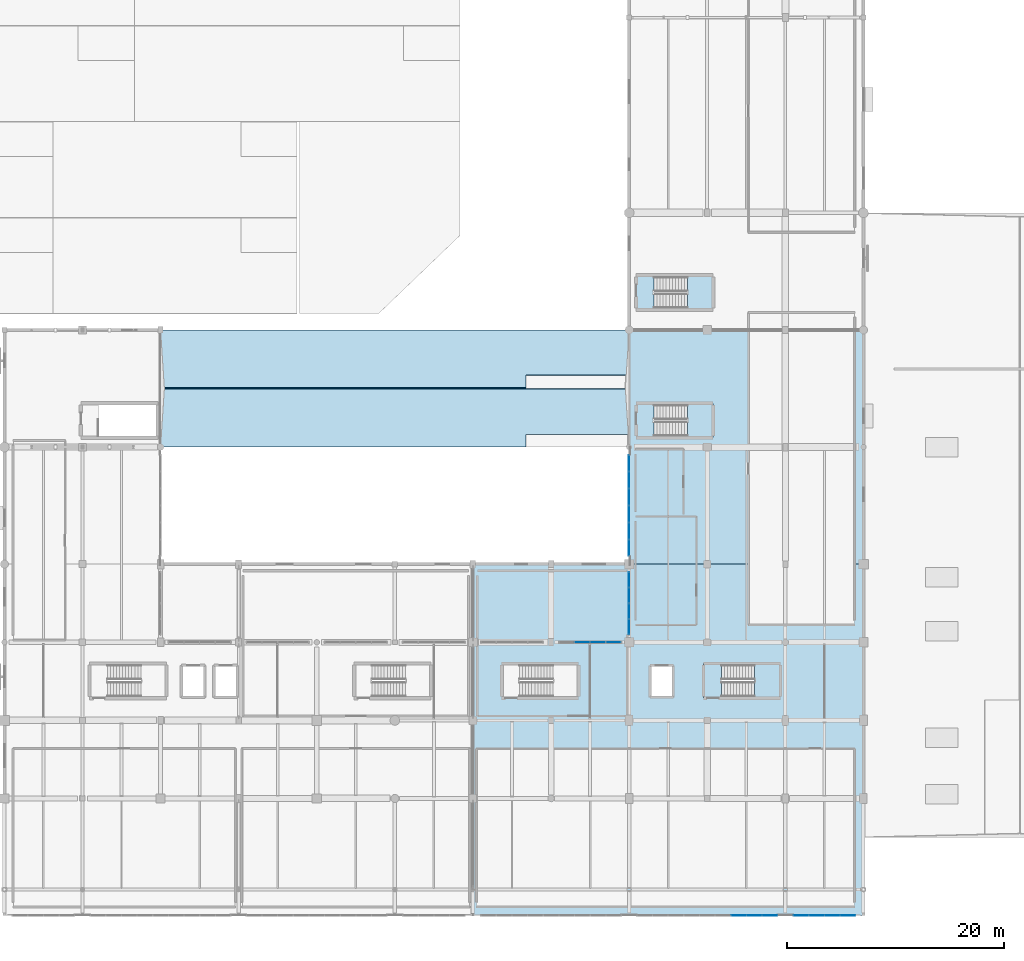
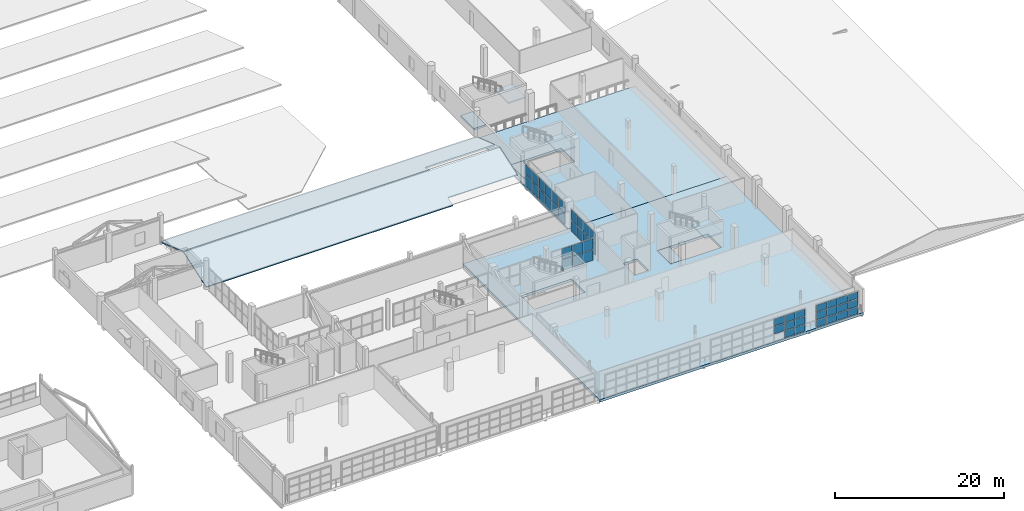
# One storey, part 52 of 90: 46 plates, 10 slabs, 8 elements without a shape of their own.
"""IFC4 building model written with IfcOpenShell, lengths in metres."""

from ifc_helpers import new_model, si_unit, direction, frame, origin, origin_2d, place, context, subcontext, project, spatial, polyline, rectangle, outline, extrude, material, layer, layer_set, type_object, element, aggregate, save


model = new_model("IFC4")

# Units and contexts
model_context = context("Model", 3, precision=1e-05, world=origin(), true_north=direction((0.0, 1.0)))
body_context = subcontext(model_context, "Body", "Model", "MODEL_VIEW")
ifc_project = project(units=[si_unit("LENGTHUNIT", "METRE"), si_unit("AREAUNIT", "SQUARE_METRE"), si_unit("VOLUMEUNIT", "CUBIC_METRE"), si_unit("PLANEANGLEUNIT", "RADIAN"), si_unit("MASSUNIT", "GRAM", prefix="KILO")], contexts=[model_context])

# Site, building, storey
site_placement = place(None, origin())
site = spatial("IfcSite", under=ifc_project, at=site_placement, CompositionType="ELEMENT")
building_placement = place(site_placement, origin())
building = spatial("IfcBuilding", under=site, at=building_placement, Name="Solanera Park Tramway Depot", CompositionType="ELEMENT")
storey_placement = place(building_placement, frame((0.0, 0.0, 9.0)))
storey = spatial("IfcBuildingStorey", under=building, at=storey_placement, Name="L02", CompositionType="ELEMENT", Elevation=9.0)

# Curtain wall, plates
ifc_material_1 = material(Name="Bronze-anodised thermally broken aluminium curtain wall", Category="aluminium")
curtain_wall_type_1 = type_object("IfcCurtainWallType", Name="Courtyard Cloister Unitised Curtain Wall", PredefinedType="NOTDEFINED", material=ifc_material_1)
curtain_wall_1_placement = place(storey_placement, origin())
curtain_wall_1 = element("IfcCurtainWall", 1, at=curtain_wall_1_placement, inside=storey, type_object=curtain_wall_type_1, Name="L02 Courtyard Cloister Unitised Curtain Wall #109", PredefinedType="NOTDEFINED")
ifc_material_2 = material(Name="Low-E laminated solar-control double glazing", Category="glass")
ifc_layer_1 = layer(ifc_material_2, 0.028076171875)
ifc_layer_set_1 = layer_set([ifc_layer_1], Name="Low-E laminated solar-control double glazing")
plate_type = type_object("IfcPlateType", Name="Curtain Wall Double Glazing Panel 28", PredefinedType="CURTAIN_PANEL", material=ifc_layer_set_1)
plate_1_placement = place(storey_placement, frame((161.27490234375, 25.199951171875, 0.11181640625), z_axis=(0.0, 0.0, 1.0), x_axis=(1.0, 0.0, 0.0)))
plate_1 = element("IfcPlate", 2, at=plate_1_placement, type_object=plate_type, Name="CW-L02-109 Glazing Panel R1.C2", PredefinedType="CURTAIN_PANEL", context=body_context, shape_type="SweptSolid", body=[
    extrude(rectangle(XDim=1.39794921875, YDim=0.028076171875, at=origin_2d()), origin(), (0.0, 0.0, 1.0), 1.510986328125),
])
plate_2_placement = place(storey_placement, frame((162.72509765625, 25.199951171875, 0.11181640625), z_axis=(0.0, 0.0, 1.0), x_axis=(1.0, 0.0, 0.0)))
plate_2 = element("IfcPlate", 3, at=plate_2_placement, type_object=plate_type, Name="CW-L02-109 Glazing Panel R1.C3", PredefinedType="CURTAIN_PANEL", context=body_context, shape_type="SweptSolid", body=[
    extrude(rectangle(XDim=1.39794921875, YDim=0.028076171875, at=origin_2d()), origin(), (0.0, 0.0, 1.0), 1.510986328125),
])
plate_3_placement = place(storey_placement, frame((164.15869140625, 25.199951171875, 0.11181640625), z_axis=(0.0, 0.0, 1.0), x_axis=(1.0, 0.0, 0.0)))
plate_3 = element("IfcPlate", 4, at=plate_3_placement, type_object=plate_type, Name="CW-L02-109 Glazing Panel R1.C4", PredefinedType="CURTAIN_PANEL", context=body_context, shape_type="SweptSolid", body=[
    extrude(rectangle(XDim=1.365478515625, YDim=0.028076171875, at=origin_2d()), origin(), (0.0, 0.0, 1.0), 1.510986328125),
])
plate_4_placement = place(storey_placement, frame((161.27490234375, 25.199951171875, 1.72705078125), z_axis=(0.0, 0.0, 1.0), x_axis=(1.0, 0.0, 0.0)))
plate_4 = element("IfcPlate", 5, at=plate_4_placement, type_object=plate_type, Name="CW-L02-109 Glazing Panel R2.C2", PredefinedType="CURTAIN_PANEL", context=body_context, shape_type="SweptSolid", body=[
    extrude(rectangle(XDim=1.39794921875, YDim=0.028076171875, at=origin_2d()), origin(), (0.0, 0.0, 1.0), 1.510986328125),
])
plate_5_placement = place(storey_placement, frame((162.72509765625, 25.199951171875, 1.72705078125), z_axis=(0.0, 0.0, 1.0), x_axis=(1.0, 0.0, 0.0)))
plate_5 = element("IfcPlate", 6, at=plate_5_placement, type_object=plate_type, Name="CW-L02-109 Glazing Panel R2.C3", PredefinedType="CURTAIN_PANEL", context=body_context, shape_type="SweptSolid", body=[
    extrude(rectangle(XDim=1.39794921875, YDim=0.028076171875, at=origin_2d()), origin(), (0.0, 0.0, 1.0), 1.510986328125),
])
plate_6_placement = place(storey_placement, frame((164.15869140625, 25.199951171875, 1.72705078125), z_axis=(0.0, 0.0, 1.0), x_axis=(1.0, 0.0, 0.0)))
plate_6 = element("IfcPlate", 7, at=plate_6_placement, type_object=plate_type, Name="CW-L02-109 Glazing Panel R2.C4", PredefinedType="CURTAIN_PANEL", context=body_context, shape_type="SweptSolid", body=[
    extrude(rectangle(XDim=1.365478515625, YDim=0.028076171875, at=origin_2d()), origin(), (0.0, 0.0, 1.0), 1.510986328125),
])
aggregate(curtain_wall_1, [plate_1, plate_2, plate_3, plate_4, plate_5, plate_6])

curtain_wall_2_placement = place(storey_placement, origin())
curtain_wall_2 = element("IfcCurtainWall", 8, at=curtain_wall_2_placement, inside=storey, type_object=curtain_wall_type_1, Name="L02 Courtyard Cloister Unitised Curtain Wall #111", PredefinedType="NOTDEFINED")
plate_7_placement = place(storey_placement, frame((165.60009765625, 30.958740234375, 0.11181640625), z_axis=(0.0, 0.0, 1.0), x_axis=(0.0, -1.0, 0.0)))
plate_7 = element("IfcPlate", 9, at=plate_7_placement, type_object=plate_type, Name="CW-L02-111 Glazing Panel R1.C1", PredefinedType="CURTAIN_PANEL", context=body_context, shape_type="SweptSolid", body=[
    extrude(rectangle(XDim=1.365478515625, YDim=0.028076171875, at=origin_2d()), origin(), (0.0, 0.0, 1.0), 1.510986328125),
])
plate_8_placement = place(storey_placement, frame((165.60009765625, 29.52490234375, 0.11181640625), z_axis=(0.0, 0.0, 1.0), x_axis=(0.0, -1.0, 0.0)))
plate_8 = element("IfcPlate", 10, at=plate_8_placement, type_object=plate_type, Name="CW-L02-111 Glazing Panel R1.C2", PredefinedType="CURTAIN_PANEL", context=body_context, shape_type="SweptSolid", body=[
    extrude(rectangle(XDim=1.39794921875, YDim=0.028076171875, at=origin_2d()), origin(), (0.0, 0.0, 1.0), 1.510986328125),
])
plate_9_placement = place(storey_placement, frame((165.60009765625, 28.074951171875, 0.11181640625), z_axis=(0.0, 0.0, 1.0), x_axis=(0.0, -1.0, 0.0)))
plate_9 = element("IfcPlate", 11, at=plate_9_placement, type_object=plate_type, Name="CW-L02-111 Glazing Panel R1.C3", PredefinedType="CURTAIN_PANEL", context=body_context, shape_type="SweptSolid", body=[
    extrude(rectangle(XDim=1.39794921875, YDim=0.028076171875, at=origin_2d()), origin(), (0.0, 0.0, 1.0), 1.510986328125),
])
plate_10_placement = place(storey_placement, frame((165.60009765625, 26.64111328125, 0.11181640625), z_axis=(0.0, 0.0, 1.0), x_axis=(0.0, -1.0, 0.0)))
plate_10 = element("IfcPlate", 12, at=plate_10_placement, type_object=plate_type, Name="CW-L02-111 Glazing Panel R1.C4", PredefinedType="CURTAIN_PANEL", context=body_context, shape_type="SweptSolid", body=[
    extrude(rectangle(XDim=1.365478515625, YDim=0.028076171875, at=origin_2d()), origin(), (0.0, 0.0, 1.0), 1.510986328125),
])
plate_11_placement = place(storey_placement, frame((165.60009765625, 30.958740234375, 1.72705078125), z_axis=(0.0, 0.0, 1.0), x_axis=(0.0, -1.0, 0.0)))
plate_11 = element("IfcPlate", 13, at=plate_11_placement, type_object=plate_type, Name="CW-L02-111 Glazing Panel R2.C1", PredefinedType="CURTAIN_PANEL", context=body_context, shape_type="SweptSolid", body=[
    extrude(rectangle(XDim=1.365478515625, YDim=0.028076171875, at=origin_2d()), origin(), (0.0, 0.0, 1.0), 1.510986328125),
])
plate_12_placement = place(storey_placement, frame((165.60009765625, 29.52490234375, 1.72705078125), z_axis=(0.0, 0.0, 1.0), x_axis=(0.0, -1.0, 0.0)))
plate_12 = element("IfcPlate", 14, at=plate_12_placement, type_object=plate_type, Name="CW-L02-111 Glazing Panel R2.C2", PredefinedType="CURTAIN_PANEL", context=body_context, shape_type="SweptSolid", body=[
    extrude(rectangle(XDim=1.39794921875, YDim=0.028076171875, at=origin_2d()), origin(), (0.0, 0.0, 1.0), 1.510986328125),
])
plate_13_placement = place(storey_placement, frame((165.60009765625, 28.074951171875, 1.72705078125), z_axis=(0.0, 0.0, 1.0), x_axis=(0.0, -1.0, 0.0)))
plate_13 = element("IfcPlate", 15, at=plate_13_placement, type_object=plate_type, Name="CW-L02-111 Glazing Panel R2.C3", PredefinedType="CURTAIN_PANEL", context=body_context, shape_type="SweptSolid", body=[
    extrude(rectangle(XDim=1.39794921875, YDim=0.028076171875, at=origin_2d()), origin(), (0.0, 0.0, 1.0), 1.510986328125),
])
plate_14_placement = place(storey_placement, frame((165.60009765625, 26.64111328125, 1.72705078125), z_axis=(0.0, 0.0, 1.0), x_axis=(0.0, -1.0, 0.0)))
plate_14 = element("IfcPlate", 16, at=plate_14_placement, type_object=plate_type, Name="CW-L02-111 Glazing Panel R2.C4", PredefinedType="CURTAIN_PANEL", context=body_context, shape_type="SweptSolid", body=[
    extrude(rectangle(XDim=1.365478515625, YDim=0.028076171875, at=origin_2d()), origin(), (0.0, 0.0, 1.0), 1.510986328125),
])
aggregate(curtain_wall_2, [plate_7, plate_8, plate_9, plate_10, plate_11, plate_12, plate_13, plate_14])

curtain_wall_3_placement = place(storey_placement, origin())
curtain_wall_3 = element("IfcCurtainWall", 17, at=curtain_wall_3_placement, inside=storey, type_object=curtain_wall_type_1, Name="L02 Courtyard Cloister Unitised Curtain Wall #113", PredefinedType="NOTDEFINED")
plate_15_placement = place(storey_placement, frame((165.60009765625, 41.700439453125, 0.11181640625), z_axis=(0.0, 0.0, 1.0), x_axis=(0.0, -1.0, 0.0)))
plate_15 = element("IfcPlate", 18, at=plate_15_placement, type_object=plate_type, Name="CW-L02-113 Glazing Panel R1.C1", PredefinedType="CURTAIN_PANEL", context=body_context, shape_type="SweptSolid", body=[
    extrude(rectangle(XDim=1.482177734375, YDim=0.028076171875, at=origin_2d()), origin(), (0.0, 0.0, 1.0), 1.510986328125),
])
plate_16_placement = place(storey_placement, frame((165.60009765625, 40.14990234375, 0.11181640625), z_axis=(0.0, 0.0, 1.0), x_axis=(0.0, -1.0, 0.0)))
plate_16 = element("IfcPlate", 19, at=plate_16_placement, type_object=plate_type, Name="CW-L02-113 Glazing Panel R1.C2", PredefinedType="CURTAIN_PANEL", context=body_context, shape_type="SweptSolid", body=[
    extrude(rectangle(XDim=1.5146484375, YDim=0.028076171875, at=origin_2d()), origin(), (0.0, 0.0, 1.0), 1.510986328125),
])
plate_17_placement = place(storey_placement, frame((165.60009765625, 38.583251953125, 0.11181640625), z_axis=(0.0, 0.0, 1.0), x_axis=(0.0, -1.0, 0.0)))
plate_17 = element("IfcPlate", 20, at=plate_17_placement, type_object=plate_type, Name="CW-L02-113 Glazing Panel R1.C3", PredefinedType="CURTAIN_PANEL", context=body_context, shape_type="SweptSolid", body=[
    extrude(rectangle(XDim=1.5146484375, YDim=0.028076171875, at=origin_2d()), origin(), (0.0, 0.0, 1.0), 1.510986328125),
])
plate_18_placement = place(storey_placement, frame((165.60009765625, 37.0166015625, 0.11181640625), z_axis=(0.0, 0.0, 1.0), x_axis=(0.0, -1.0, 0.0)))
plate_18 = element("IfcPlate", 21, at=plate_18_placement, type_object=plate_type, Name="CW-L02-113 Glazing Panel R1.C4", PredefinedType="CURTAIN_PANEL", context=body_context, shape_type="SweptSolid", body=[
    extrude(rectangle(XDim=1.5146484375, YDim=0.028076171875, at=origin_2d()), origin(), (0.0, 0.0, 1.0), 1.510986328125),
])
plate_19_placement = place(storey_placement, frame((165.60009765625, 35.449951171875, 0.11181640625), z_axis=(0.0, 0.0, 1.0), x_axis=(0.0, -1.0, 0.0)))
plate_19 = element("IfcPlate", 22, at=plate_19_placement, type_object=plate_type, Name="CW-L02-113 Glazing Panel R1.C5", PredefinedType="CURTAIN_PANEL", context=body_context, shape_type="SweptSolid", body=[
    extrude(rectangle(XDim=1.5146484375, YDim=0.028076171875, at=origin_2d()), origin(), (0.0, 0.0, 1.0), 1.510986328125),
])
plate_20_placement = place(storey_placement, frame((165.60009765625, 33.899658203125, 0.11181640625), z_axis=(0.0, 0.0, 1.0), x_axis=(0.0, -1.0, 0.0)))
plate_20 = element("IfcPlate", 23, at=plate_20_placement, type_object=plate_type, Name="CW-L02-113 Glazing Panel R1.C6", PredefinedType="CURTAIN_PANEL", context=body_context, shape_type="SweptSolid", body=[
    extrude(rectangle(XDim=1.482177734375, YDim=0.028076171875, at=origin_2d()), origin(), (0.0, 0.0, 1.0), 1.510986328125),
])
plate_21_placement = place(storey_placement, frame((165.60009765625, 41.700439453125, 1.72705078125), z_axis=(0.0, 0.0, 1.0), x_axis=(0.0, -1.0, 0.0)))
plate_21 = element("IfcPlate", 24, at=plate_21_placement, type_object=plate_type, Name="CW-L02-113 Glazing Panel R2.C1", PredefinedType="CURTAIN_PANEL", context=body_context, shape_type="SweptSolid", body=[
    extrude(rectangle(XDim=1.482177734375, YDim=0.028076171875, at=origin_2d()), origin(), (0.0, 0.0, 1.0), 1.510986328125),
])
plate_22_placement = place(storey_placement, frame((165.60009765625, 40.14990234375, 1.72705078125), z_axis=(0.0, 0.0, 1.0), x_axis=(0.0, -1.0, 0.0)))
plate_22 = element("IfcPlate", 25, at=plate_22_placement, type_object=plate_type, Name="CW-L02-113 Glazing Panel R2.C2", PredefinedType="CURTAIN_PANEL", context=body_context, shape_type="SweptSolid", body=[
    extrude(rectangle(XDim=1.5146484375, YDim=0.028076171875, at=origin_2d()), origin(), (0.0, 0.0, 1.0), 1.510986328125),
])
plate_23_placement = place(storey_placement, frame((165.60009765625, 38.583251953125, 1.72705078125), z_axis=(0.0, 0.0, 1.0), x_axis=(0.0, -1.0, 0.0)))
plate_23 = element("IfcPlate", 26, at=plate_23_placement, type_object=plate_type, Name="CW-L02-113 Glazing Panel R2.C3", PredefinedType="CURTAIN_PANEL", context=body_context, shape_type="SweptSolid", body=[
    extrude(rectangle(XDim=1.5146484375, YDim=0.028076171875, at=origin_2d()), origin(), (0.0, 0.0, 1.0), 1.510986328125),
])
plate_24_placement = place(storey_placement, frame((165.60009765625, 37.0166015625, 1.72705078125), z_axis=(0.0, 0.0, 1.0), x_axis=(0.0, -1.0, 0.0)))
plate_24 = element("IfcPlate", 27, at=plate_24_placement, type_object=plate_type, Name="CW-L02-113 Glazing Panel R2.C4", PredefinedType="CURTAIN_PANEL", context=body_context, shape_type="SweptSolid", body=[
    extrude(rectangle(XDim=1.5146484375, YDim=0.028076171875, at=origin_2d()), origin(), (0.0, 0.0, 1.0), 1.510986328125),
])
plate_25_placement = place(storey_placement, frame((165.60009765625, 35.449951171875, 1.72705078125), z_axis=(0.0, 0.0, 1.0), x_axis=(0.0, -1.0, 0.0)))
plate_25 = element("IfcPlate", 28, at=plate_25_placement, type_object=plate_type, Name="CW-L02-113 Glazing Panel R2.C5", PredefinedType="CURTAIN_PANEL", context=body_context, shape_type="SweptSolid", body=[
    extrude(rectangle(XDim=1.5146484375, YDim=0.028076171875, at=origin_2d()), origin(), (0.0, 0.0, 1.0), 1.510986328125),
])
plate_26_placement = place(storey_placement, frame((165.60009765625, 33.899658203125, 1.72705078125), z_axis=(0.0, 0.0, 1.0), x_axis=(0.0, -1.0, 0.0)))
plate_26 = element("IfcPlate", 29, at=plate_26_placement, type_object=plate_type, Name="CW-L02-113 Glazing Panel R2.C6", PredefinedType="CURTAIN_PANEL", context=body_context, shape_type="SweptSolid", body=[
    extrude(rectangle(XDim=1.482177734375, YDim=0.028076171875, at=origin_2d()), origin(), (0.0, 0.0, 1.0), 1.510986328125),
])
aggregate(curtain_wall_3, [plate_15, plate_16, plate_17, plate_18, plate_19, plate_20, plate_21, plate_22, plate_23, plate_24, plate_25, plate_26])

ifc_material_3 = material(Name="Bronze-anodised thermally broken aluminium curtain wall", Category="aluminium")
curtain_wall_type_2 = type_object("IfcCurtainWallType", Name="Cantilevered OCC Inclined Glazing Wall", PredefinedType="NOTDEFINED", material=ifc_material_3)
curtain_wall_4_placement = place(storey_placement, origin())
curtain_wall_4 = element("IfcCurtainWall", 30, at=curtain_wall_4_placement, inside=storey, type_object=curtain_wall_type_2, Name="L02 Cantilevered OCC Inclined Glazing Wall #119", PredefinedType="NOTDEFINED")
plate_27_placement = place(storey_placement, frame((177.13330078125, 0.0, 0.112060546875), z_axis=(0.0, 0.0, 1.0), x_axis=(1.0, 0.0, 0.0)))
plate_27 = element("IfcPlate", 31, at=plate_27_placement, type_object=plate_type, Name="CW-L02-119 Glazing Panel R1.C8", PredefinedType="CURTAIN_PANEL", context=body_context, shape_type="SweptSolid", body=[
    extrude(rectangle(XDim=1.392333984375, YDim=0.028076171875, at=origin_2d()), origin(), (0.0, 0.0, 1.0), 0.96923828125),
])
plate_28_placement = place(storey_placement, frame((178.5615234375, 0.0, 0.112060546875), z_axis=(0.0, 0.0, 1.0), x_axis=(1.0, 0.0, 0.0)))
plate_28 = element("IfcPlate", 32, at=plate_28_placement, type_object=plate_type, Name="CW-L02-119 Glazing Panel R1.C9", PredefinedType="CURTAIN_PANEL", context=body_context, shape_type="SweptSolid", body=[
    extrude(rectangle(XDim=1.35986328125, YDim=0.028076171875, at=origin_2d()), origin(), (0.0, 0.0, 1.0), 0.96923828125),
])
plate_29_placement = place(storey_placement, frame((175.68896484375, 0.0, 1.185302734375), z_axis=(0.0, 0.0, 1.0), x_axis=(1.0, 0.0, 0.0)))
plate_29 = element("IfcPlate", 33, at=plate_29_placement, type_object=plate_type, Name="CW-L02-119 Glazing Panel R2.C7", PredefinedType="CURTAIN_PANEL", context=body_context, shape_type="SweptSolid", body=[
    extrude(rectangle(XDim=1.392333984375, YDim=0.028076171875, at=origin_2d()), origin(), (0.0, 0.0, 1.0), 1.029296875),
])
plate_30_placement = place(storey_placement, frame((177.13330078125, 0.0, 1.185302734375), z_axis=(0.0, 0.0, 1.0), x_axis=(1.0, 0.0, 0.0)))
plate_30 = element("IfcPlate", 34, at=plate_30_placement, type_object=plate_type, Name="CW-L02-119 Glazing Panel R2.C8", PredefinedType="CURTAIN_PANEL", context=body_context, shape_type="SweptSolid", body=[
    extrude(rectangle(XDim=1.392333984375, YDim=0.028076171875, at=origin_2d()), origin(), (0.0, 0.0, 1.0), 1.029296875),
])
plate_31_placement = place(storey_placement, frame((178.5615234375, 0.0, 1.185302734375), z_axis=(0.0, 0.0, 1.0), x_axis=(1.0, 0.0, 0.0)))
plate_31 = element("IfcPlate", 35, at=plate_31_placement, type_object=plate_type, Name="CW-L02-119 Glazing Panel R2.C9", PredefinedType="CURTAIN_PANEL", context=body_context, shape_type="SweptSolid", body=[
    extrude(rectangle(XDim=1.35986328125, YDim=0.028076171875, at=origin_2d()), origin(), (0.0, 0.0, 1.0), 1.029296875),
])
plate_32_placement = place(storey_placement, frame((175.68896484375, 0.0, 2.31884765625), z_axis=(0.0, 0.0, 1.0), x_axis=(1.0, 0.0, 0.0)))
plate_32 = element("IfcPlate", 36, at=plate_32_placement, type_object=plate_type, Name="CW-L02-119 Glazing Panel R3.C7", PredefinedType="CURTAIN_PANEL", context=body_context, shape_type="SweptSolid", body=[
    extrude(rectangle(XDim=1.392333984375, YDim=0.028076171875, at=origin_2d()), origin(), (0.0, 0.0, 1.0), 0.96923828125),
])
plate_33_placement = place(storey_placement, frame((177.13330078125, 0.0, 2.31884765625), z_axis=(0.0, 0.0, 1.0), x_axis=(1.0, 0.0, 0.0)))
plate_33 = element("IfcPlate", 37, at=plate_33_placement, type_object=plate_type, Name="CW-L02-119 Glazing Panel R3.C8", PredefinedType="CURTAIN_PANEL", context=body_context, shape_type="SweptSolid", body=[
    extrude(rectangle(XDim=1.392333984375, YDim=0.028076171875, at=origin_2d()), origin(), (0.0, 0.0, 1.0), 0.96923828125),
])
plate_34_placement = place(storey_placement, frame((178.5615234375, 0.0, 2.31884765625), z_axis=(0.0, 0.0, 1.0), x_axis=(1.0, 0.0, 0.0)))
plate_34 = element("IfcPlate", 38, at=plate_34_placement, type_object=plate_type, Name="CW-L02-119 Glazing Panel R3.C9", PredefinedType="CURTAIN_PANEL", context=body_context, shape_type="SweptSolid", body=[
    extrude(rectangle(XDim=1.35986328125, YDim=0.028076171875, at=origin_2d()), origin(), (0.0, 0.0, 1.0), 0.96923828125),
])
aggregate(curtain_wall_4, [plate_27, plate_28, plate_29, plate_30, plate_31, plate_32, plate_33, plate_34])

curtain_wall_5_placement = place(storey_placement, origin())
curtain_wall_5 = element("IfcCurtainWall", 39, at=curtain_wall_5_placement, inside=storey, type_object=curtain_wall_type_2, Name="L02 Cantilevered OCC Inclined Glazing Wall #120", PredefinedType="NOTDEFINED")
plate_35_placement = place(storey_placement, frame((181.441162109375, 0.0, 0.112060546875), z_axis=(0.0, 0.0, 1.0), x_axis=(1.0, 0.0, 0.0)))
plate_35 = element("IfcPlate", 40, at=plate_35_placement, type_object=plate_type, Name="CW-L02-120 Glazing Panel R1.C1", PredefinedType="CURTAIN_PANEL", context=body_context, shape_type="SweptSolid", body=[
    extrude(rectangle(XDim=1.365478515625, YDim=0.028076171875, at=origin_2d()), origin(), (0.0, 0.0, 1.0), 0.96923828125),
])
plate_36_placement = place(storey_placement, frame((182.875, 0.0, 0.112060546875), z_axis=(0.0, 0.0, 1.0), x_axis=(1.0, 0.0, 0.0)))
plate_36 = element("IfcPlate", 41, at=plate_36_placement, type_object=plate_type, Name="CW-L02-120 Glazing Panel R1.C2", PredefinedType="CURTAIN_PANEL", context=body_context, shape_type="SweptSolid", body=[
    extrude(rectangle(XDim=1.39794921875, YDim=0.028076171875, at=origin_2d()), origin(), (0.0, 0.0, 1.0), 0.96923828125),
])
plate_37_placement = place(storey_placement, frame((184.324951171875, 0.0, 0.112060546875), z_axis=(0.0, 0.0, 1.0), x_axis=(1.0, 0.0, 0.0)))
plate_37 = element("IfcPlate", 42, at=plate_37_placement, type_object=plate_type, Name="CW-L02-120 Glazing Panel R1.C3", PredefinedType="CURTAIN_PANEL", context=body_context, shape_type="SweptSolid", body=[
    extrude(rectangle(XDim=1.39794921875, YDim=0.028076171875, at=origin_2d()), origin(), (0.0, 0.0, 1.0), 0.96923828125),
])
plate_38_placement = place(storey_placement, frame((185.7587890625, 0.0, 0.112060546875), z_axis=(0.0, 0.0, 1.0), x_axis=(1.0, 0.0, 0.0)))
plate_38 = element("IfcPlate", 43, at=plate_38_placement, type_object=plate_type, Name="CW-L02-120 Glazing Panel R1.C4", PredefinedType="CURTAIN_PANEL", context=body_context, shape_type="SweptSolid", body=[
    extrude(rectangle(XDim=1.365478515625, YDim=0.028076171875, at=origin_2d()), origin(), (0.0, 0.0, 1.0), 0.96923828125),
])
plate_39_placement = place(storey_placement, frame((181.441162109375, 0.0, 1.185302734375), z_axis=(0.0, 0.0, 1.0), x_axis=(1.0, 0.0, 0.0)))
plate_39 = element("IfcPlate", 44, at=plate_39_placement, type_object=plate_type, Name="CW-L02-120 Glazing Panel R2.C1", PredefinedType="CURTAIN_PANEL", context=body_context, shape_type="SweptSolid", body=[
    extrude(rectangle(XDim=1.365478515625, YDim=0.028076171875, at=origin_2d()), origin(), (0.0, 0.0, 1.0), 1.029296875),
])
plate_40_placement = place(storey_placement, frame((182.875, 0.0, 1.185302734375), z_axis=(0.0, 0.0, 1.0), x_axis=(1.0, 0.0, 0.0)))
plate_40 = element("IfcPlate", 45, at=plate_40_placement, type_object=plate_type, Name="CW-L02-120 Glazing Panel R2.C2", PredefinedType="CURTAIN_PANEL", context=body_context, shape_type="SweptSolid", body=[
    extrude(rectangle(XDim=1.39794921875, YDim=0.028076171875, at=origin_2d()), origin(), (0.0, 0.0, 1.0), 1.029296875),
])
plate_41_placement = place(storey_placement, frame((184.324951171875, 0.0, 1.185302734375), z_axis=(0.0, 0.0, 1.0), x_axis=(1.0, 0.0, 0.0)))
plate_41 = element("IfcPlate", 46, at=plate_41_placement, type_object=plate_type, Name="CW-L02-120 Glazing Panel R2.C3", PredefinedType="CURTAIN_PANEL", context=body_context, shape_type="SweptSolid", body=[
    extrude(rectangle(XDim=1.39794921875, YDim=0.028076171875, at=origin_2d()), origin(), (0.0, 0.0, 1.0), 1.029296875),
])
plate_42_placement = place(storey_placement, frame((185.7587890625, 0.0, 1.185302734375), z_axis=(0.0, 0.0, 1.0), x_axis=(1.0, 0.0, 0.0)))
plate_42 = element("IfcPlate", 47, at=plate_42_placement, type_object=plate_type, Name="CW-L02-120 Glazing Panel R2.C4", PredefinedType="CURTAIN_PANEL", context=body_context, shape_type="SweptSolid", body=[
    extrude(rectangle(XDim=1.365478515625, YDim=0.028076171875, at=origin_2d()), origin(), (0.0, 0.0, 1.0), 1.029296875),
])
plate_43_placement = place(storey_placement, frame((181.441162109375, 0.0, 2.31884765625), z_axis=(0.0, 0.0, 1.0), x_axis=(1.0, 0.0, 0.0)))
plate_43 = element("IfcPlate", 48, at=plate_43_placement, type_object=plate_type, Name="CW-L02-120 Glazing Panel R3.C1", PredefinedType="CURTAIN_PANEL", context=body_context, shape_type="SweptSolid", body=[
    extrude(rectangle(XDim=1.365478515625, YDim=0.028076171875, at=origin_2d()), origin(), (0.0, 0.0, 1.0), 0.96923828125),
])
plate_44_placement = place(storey_placement, frame((182.875, 0.0, 2.31884765625), z_axis=(0.0, 0.0, 1.0), x_axis=(1.0, 0.0, 0.0)))
plate_44 = element("IfcPlate", 49, at=plate_44_placement, type_object=plate_type, Name="CW-L02-120 Glazing Panel R3.C2", PredefinedType="CURTAIN_PANEL", context=body_context, shape_type="SweptSolid", body=[
    extrude(rectangle(XDim=1.39794921875, YDim=0.028076171875, at=origin_2d()), origin(), (0.0, 0.0, 1.0), 0.96923828125),
])
plate_45_placement = place(storey_placement, frame((184.324951171875, 0.0, 2.31884765625), z_axis=(0.0, 0.0, 1.0), x_axis=(1.0, 0.0, 0.0)))
plate_45 = element("IfcPlate", 50, at=plate_45_placement, type_object=plate_type, Name="CW-L02-120 Glazing Panel R3.C3", PredefinedType="CURTAIN_PANEL", context=body_context, shape_type="SweptSolid", body=[
    extrude(rectangle(XDim=1.39794921875, YDim=0.028076171875, at=origin_2d()), origin(), (0.0, 0.0, 1.0), 0.96923828125),
])
plate_46_placement = place(storey_placement, frame((185.7587890625, 0.0, 2.31884765625), z_axis=(0.0, 0.0, 1.0), x_axis=(1.0, 0.0, 0.0)))
plate_46 = element("IfcPlate", 51, at=plate_46_placement, type_object=plate_type, Name="CW-L02-120 Glazing Panel R3.C4", PredefinedType="CURTAIN_PANEL", context=body_context, shape_type="SweptSolid", body=[
    extrude(rectangle(XDim=1.365478515625, YDim=0.028076171875, at=origin_2d()), origin(), (0.0, 0.0, 1.0), 0.96923828125),
])
aggregate(curtain_wall_5, [plate_35, plate_36, plate_37, plate_38, plate_39, plate_40, plate_41, plate_42, plate_43, plate_44, plate_45, plate_46])

# Slabs
ifc_material_4 = material(Name="Concrete N40 (C40/50)", Category="concrete")
ifc_layer_2 = layer(ifc_material_4, 0.27490234375)
ifc_layer_set_2 = layer_set([ifc_layer_2], Name="Concrete N40 (C40/50)")
slab_type_1 = type_object("IfcSlabType", Name="Slab Floor 275", PredefinedType="FLOOR", material=ifc_layer_set_2)
slab_1_placement = place(storey_placement, frame((0.0, 0.0, -0.27490234375)))
element("IfcSlab", 52, at=slab_1_placement, inside=storey, type_object=slab_type_1, Name="L02 Structural Slab SL-L02-V4ES", PredefinedType="FLOOR", context=body_context, shape_type="SweptSolid", body=[
    extrude(outline(polyline([(165.60009765625, 32.39990234375), (165.60009765625, 53.949951171875), (187.199951171875, 53.949951171875), (187.199951171875, 32.39990234375), (165.60009765625, 32.39990234375)]), holes=[polyline([(173.199951171875, 47.22509765625), (166.27490234375, 47.22509765625), (166.27490234375, 44.074951171875), (173.199951171875, 44.074951171875), (173.199951171875, 47.22509765625)])]), origin(), (0.0, 0.0, 1.0), 0.27490234375),
])
ifc_material_5 = material(Name="Concrete N40 (C40/50)", Category="concrete")
ifc_layer_3 = layer(ifc_material_5, 0.360107421875)
ifc_layer_set_3 = layer_set([ifc_layer_3], Name="Concrete N40 (C40/50)")
slab_type_2 = type_object("IfcSlabType", Name="Slab Floor 360", PredefinedType="FLOOR", material=ifc_layer_set_3)
slab_2_placement = place(storey_placement, frame((0.0, 0.0, -0.360107421875)))
element("IfcSlab", 53, at=slab_2_placement, inside=storey, type_object=slab_type_2, Name="L02 Structural Slab SL-L02-V4HE", PredefinedType="FLOOR", context=body_context, shape_type="SweptSolid", body=[
    extrude(outline(polyline([(187.199951171875, 32.39990234375), (187.199951171875, 0.0), (151.199951171875, 0.0), (151.199951171875, 32.39990234375), (187.199951171875, 32.39990234375)]), holes=[polyline([(153.875, 20.074951171875), (160.800048828125, 20.074951171875), (160.800048828125, 23.22509765625), (153.875, 23.22509765625), (153.875, 20.074951171875)]), polyline([(172.47509765625, 23.22509765625), (172.47509765625, 20.074951171875), (179.39990234375, 20.074951171875), (179.39990234375, 23.22509765625), (172.47509765625, 23.22509765625)]), polyline([(169.550048828125, 22.949951171875), (167.64990234375, 22.949951171875), (167.64990234375, 20.25), (169.550048828125, 20.25), (169.550048828125, 22.949951171875)])]), origin(), (0.0, 0.0, 1.0), 0.360107421875),
])
ifc_material_6 = material(Name="Concrete N40 (C40/50)", Category="concrete")
ifc_layer_4 = layer(ifc_material_6, 0.179931640625)
ifc_layer_set_4 = layer_set([ifc_layer_4], Name="Concrete N40 (C40/50)")
slab_type_3 = type_object("IfcSlabType", Name="Slab Roof 180", PredefinedType="ROOF", material=ifc_layer_set_4)
for number, where, z_axis, x_axis, name in (
    (54, (122.39990234375, 43.199951171875, 0.1923828125), (3.03765e-07, -0.322152364016, 0.946687833638), (1.0, 9.7859e-08, -2.8757e-07), "Pitched Roof Slab V4N-RF.1"),
    (55, (122.39990234375, 48.66796875, 2.0068359375), (-3.03765e-07, 0.322152364016, 0.946687833638), (1.0, 9.7859e-08, 2.8757e-07), "Pitched Roof Slab V4N-RF.2"),
):
    element("IfcSlab", number, at=place(storey_placement, frame(where, z_axis=z_axis, x_axis=x_axis)), inside=storey, type_object=slab_type_3, Name=name, PredefinedType="ROOF", context=body_context, shape_type="SweptSolid", body=[
        extrude(outline(polyline([(0.0, 0.0), (33.69604492187345, 4.459634412654544e-22), (33.69604492188142, 1.2391489638179956), (43.20019531250598, 1.2391489638179956), (43.200195312499766, 5.632299476569538), (1.753952342018737e-12, 5.632299476569538), (0.0, 0.0)])), origin(), (0.0, 0.0, -1.0), 0.179931640625),
    ])
ifc_material_7 = material(Name="Concrete N40 (C40/50)", Category="concrete")
ifc_layer_5 = layer(ifc_material_7, 0.27490234375)
ifc_layer_set_5 = layer_set([ifc_layer_5], Name="Concrete N40 (C40/50)")
slab_type_4 = type_object("IfcSlabType", Name="Slab Stair Floor Landing 275", PredefinedType="LANDING", material=ifc_layer_set_5)
slab_3_placement = place(storey_placement, frame((0.0, 0.0, -0.27490234375)))
element("IfcSlab", 56, at=slab_3_placement, inside=storey, type_object=slab_type_4, Name="ST-05 L02 Floor Landing", PredefinedType="LANDING", context=body_context, shape_type="SweptSolid", body=[
    extrude(outline(polyline([(166.280029296875, 44.080078125), (167.89990234375, 44.080078125), (167.89990234375, 47.219970703125), (166.280029296875, 47.219970703125), (166.280029296875, 44.080078125)])), origin(), (0.0, 0.0, 1.0), 0.27490234375),
])
slab_4_placement = place(storey_placement, frame((0.0, 0.0, -0.27490234375)))
element("IfcSlab", 57, at=slab_4_placement, inside=storey, type_object=slab_type_4, Name="ST-06 L02 Floor Landing", PredefinedType="LANDING", context=body_context, shape_type="SweptSolid", body=[
    extrude(outline(polyline([(166.280029296875, 55.8798828125), (167.89990234375, 55.8798828125), (167.89990234375, 59.02001953125), (166.280029296875, 59.02001953125), (166.280029296875, 55.8798828125)])), origin(), (0.0, 0.0, 1.0), 0.27490234375),
])
ifc_material_8 = material(Name="Concrete N40 (C40/50)", Category="concrete")
ifc_layer_6 = layer(ifc_material_8, 0.360107421875)
ifc_layer_set_6 = layer_set([ifc_layer_6], Name="Concrete N40 (C40/50)")
slab_type_5 = type_object("IfcSlabType", Name="Slab Stair Floor Landing 360", PredefinedType="LANDING", material=ifc_layer_set_6)
slab_5_placement = place(storey_placement, frame((0.0, 0.0, -0.360107421875)))
element("IfcSlab", 58, at=slab_5_placement, inside=storey, type_object=slab_type_5, Name="ST-04 L02 Floor Landing", PredefinedType="LANDING", context=body_context, shape_type="SweptSolid", body=[
    extrude(outline(polyline([(172.47998046875, 20.080078125), (174.10009765625, 20.080078125), (174.10009765625, 23.219970703125), (172.47998046875, 23.219970703125), (172.47998046875, 20.080078125)])), origin(), (0.0, 0.0, 1.0), 0.360107421875),
])

# Stair, slab
ifc_material_9 = material(Name="Concrete N40 (C40/50)", Category="concrete")
stair_type = type_object("IfcStairType", Name="Stair Half-Turn Dogleg 4200", PredefinedType="HALF_TURN_STAIR", material=ifc_material_9)
stair_1_placement = place(storey_placement, origin())
stair_1 = element("IfcStair", 59, at=stair_1_placement, inside=storey, type_object=stair_type, Name="ST-04 L02 Half-Turn Stair", PredefinedType="HALF_TURN_STAIR")
ifc_material_10 = material(Name="Concrete N40 (C40/50)", Category="concrete")
ifc_layer_7 = layer(ifc_material_10, 0.199951171875)
ifc_layer_set_7 = layer_set([ifc_layer_7], Name="Concrete N40 (C40/50)")
slab_type_6 = type_object("IfcSlabType", Name="Slab Stair Landing 200", PredefinedType="LANDING", material=ifc_layer_set_7)
slab_6_placement = place(storey_placement, frame((0.0, 0.0, 1.89990234375)))
slab_6 = element("IfcSlab", 60, at=slab_6_placement, type_object=slab_type_6, Name="ST-04 L02 Half-Landing 1", PredefinedType="LANDING", context=body_context, shape_type="SweptSolid", body=[
    extrude(outline(polyline([(177.179931640625, 20.080078125), (179.52001953125, 20.080078125), (179.52001953125, 23.219970703125), (177.179931640625, 23.219970703125), (177.179931640625, 20.080078125)])), origin(), (0.0, 0.0, 1.0), 0.2001953125),
])
aggregate(stair_1, [slab_6])

stair_2_placement = place(storey_placement, origin())
stair_2 = element("IfcStair", 61, at=stair_2_placement, inside=storey, type_object=stair_type, Name="ST-05 L02 Half-Turn Stair", PredefinedType="HALF_TURN_STAIR")
slab_7_placement = place(storey_placement, frame((0.0, 0.0, 1.89990234375)))
slab_7 = element("IfcSlab", 62, at=slab_7_placement, type_object=slab_type_6, Name="ST-05 L02 Half-Landing 1", PredefinedType="LANDING", context=body_context, shape_type="SweptSolid", body=[
    extrude(outline(polyline([(170.97998046875, 44.080078125), (173.320068359375, 44.080078125), (173.320068359375, 47.219970703125), (170.97998046875, 47.219970703125), (170.97998046875, 44.080078125)])), origin(), (0.0, 0.0, 1.0), 0.2001953125),
])
aggregate(stair_2, [slab_7])

stair_3_placement = place(storey_placement, origin())
stair_3 = element("IfcStair", 63, at=stair_3_placement, inside=storey, type_object=stair_type, Name="ST-06 L02 Half-Turn Stair", PredefinedType="HALF_TURN_STAIR")
slab_8_placement = place(storey_placement, frame((0.0, 0.0, 1.89990234375)))
slab_8 = element("IfcSlab", 64, at=slab_8_placement, type_object=slab_type_6, Name="ST-06 L02 Half-Landing 1", PredefinedType="LANDING", context=body_context, shape_type="SweptSolid", body=[
    extrude(outline(polyline([(170.97998046875, 55.8798828125), (173.320068359375, 55.8798828125), (173.320068359375, 59.02001953125), (170.97998046875, 59.02001953125), (170.97998046875, 55.8798828125)])), origin(), (0.0, 0.0, 1.0), 0.2001953125),
])
aggregate(stair_3, [slab_8])

save(model, "model.ifc")
